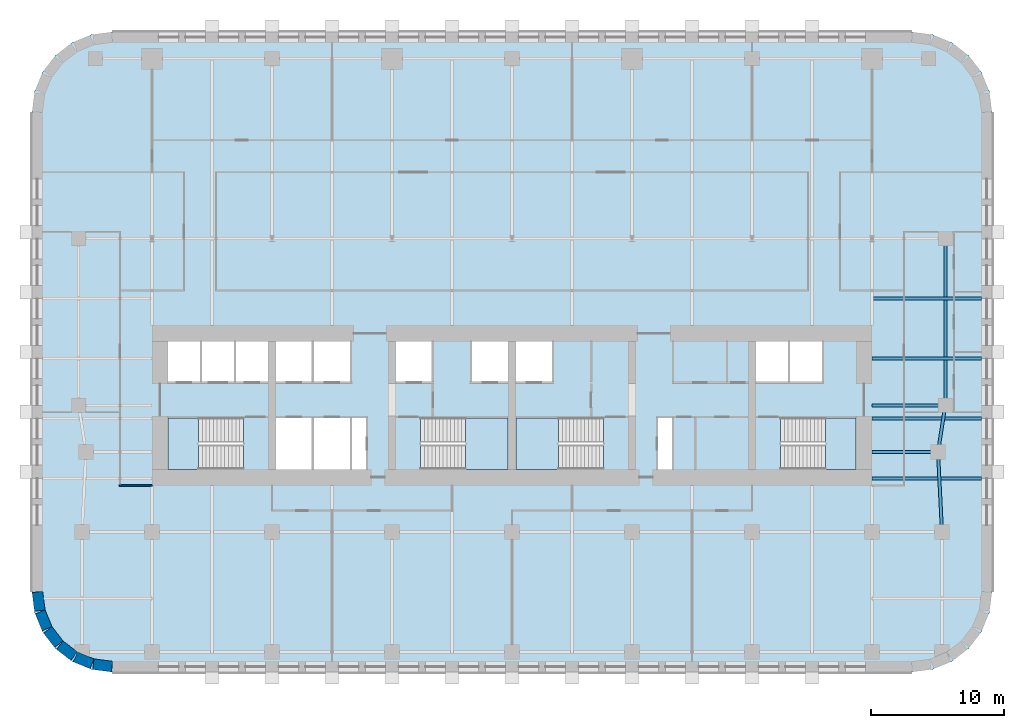
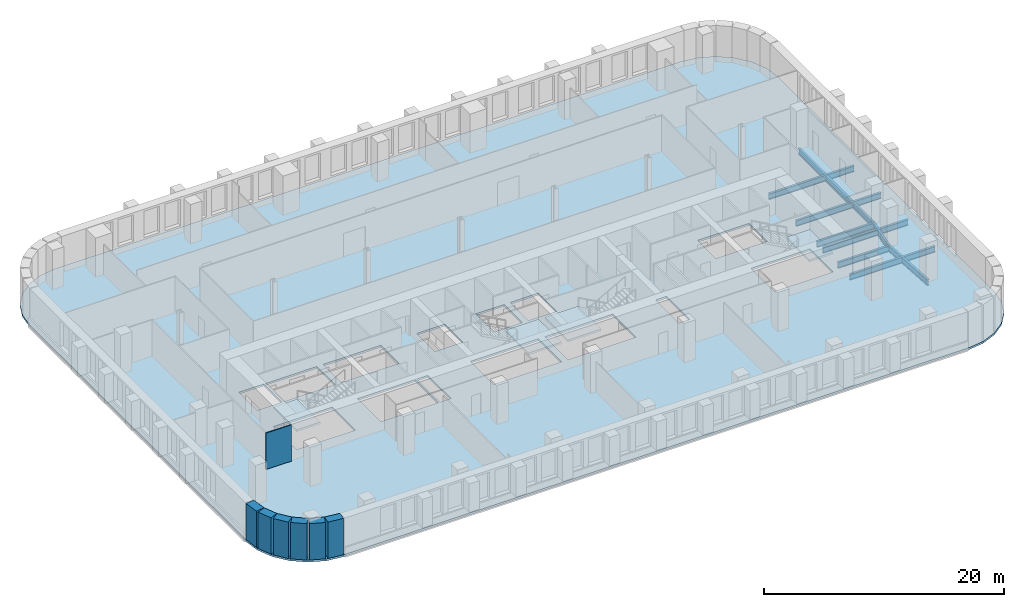
# One storey, part 2 of 12: 9 beams, 7 walls, 5 slabs, 4 elements without a shape of their own.
"""IFC4 building model written with IfcOpenShell, lengths in metres."""

from ifc_helpers import new_model, si_unit, direction, frame, frame_2d, origin, origin_2d, place, context, subcontext, project, spatial, polyline, rectangle, i_section, outline, extrude, material, layer, layer_set, material_profile, profile_set, type_object, element, aggregate, save


model = new_model("IFC4")

# Units and contexts
model_context = context("Model", 3, precision=1e-05, world=origin(), true_north=direction((0.0, 1.0)))
body_context = subcontext(model_context, "Body", "Model", "MODEL_VIEW")
ifc_project = project(units=[si_unit("LENGTHUNIT", "METRE"), si_unit("AREAUNIT", "SQUARE_METRE"), si_unit("VOLUMEUNIT", "CUBIC_METRE"), si_unit("PLANEANGLEUNIT", "RADIAN"), si_unit("MASSUNIT", "GRAM", prefix="KILO")], contexts=[model_context])

# Site, building, storey
site_placement = place(None, origin())
site = spatial("IfcSite", under=ifc_project, at=site_placement, CompositionType="ELEMENT")
building_placement = place(site_placement, origin())
building = spatial("IfcBuilding", under=site, at=building_placement, Name="Zellij Exchange Tower", CompositionType="ELEMENT")
storey_placement = place(building_placement, frame((0.0, 0.0, 96.5)))
storey = spatial("IfcBuildingStorey", under=building, at=storey_placement, Name="L20", CompositionType="ELEMENT", Elevation=96.5)

# Beams
ifc_material_1 = material(Name="Structural steel ASTM A992 Gr 50", Category="steel")
ifc_material_profile_1 = material_profile(ifc_material_1, i_section(OverallWidth=0.227783203125, OverallDepth=0.60205078125, WebThickness=0.010498046875, FlangeThickness=0.014892578125, at=origin_2d()), Name="W24x68")
ifc_profile_set_1 = profile_set([ifc_material_profile_1], Name="Structural steel ASTM A992 Gr 50")
beam_type_1 = type_object("IfcBeamType", Name="STR-BEAM W24x68", PredefinedType="BEAM", material=ifc_profile_set_1)
for number, where, z_axis, x_axis, name in (
    (1, (27.0, -13.5, -0.5009765625), (1.0, 0.0, 0.0), (0.0, 1.0, 0.0), "B5"),
    (2, (27.0, -9.0, -0.5009765625), (1.0, 0.0, 0.0), (0.0, 1.0, 0.0), "B5"),
    (3, (27.0, -4.5, -0.5009765625), (1.0, 0.0, 0.0), (0.0, 1.0, 0.0), "B5"),
    (4, (27.0, 0.0, -0.5009765625), (1.0, 0.0, 0.0), (0.0, 1.0, 0.0), "B5"),
):
    element("IfcBeam", number, at=place(storey_placement, frame(where, z_axis=z_axis, x_axis=x_axis)), inside=storey, type_object=beam_type_1, Name=name, PredefinedType="BEAM", context=body_context, shape_type="SweptSolid", body=[
        extrude(i_section(OverallWidth=0.227783203125, OverallDepth=0.60205078125, WebThickness=0.010498046875, FlangeThickness=0.014892578125, at=origin_2d()), origin(), (0.0, 0.0, 1.0), 8.199951171875),
    ])
ifc_material_profile_2 = material_profile(ifc_material_1, i_section(OverallWidth=0.22900390625, OverallDepth=0.612060546875, WebThickness=0.011962890625, FlangeThickness=0.01953125, at=origin_2d()), Name="W24x84")
ifc_profile_set_2 = profile_set([ifc_material_profile_2], Name="Structural steel ASTM A992 Gr 50")
beam_type_2 = type_object("IfcBeamType", Name="STR-EDGE GIRDER W24x84", PredefinedType="BEAM", material=ifc_profile_set_2)
beam_1_placement = place(storey_placement, frame((32.25, -17.5, -0.506103515625), z_axis=(-0.049945724537, 0.998751933465, 0.0), x_axis=(-0.998751933465, -0.049945724537, 0.0)))
element("IfcBeam", 5, at=beam_1_placement, inside=storey, type_object=beam_type_2, Name="EB6", PredefinedType="BEAM", context=body_context, shape_type="SweptSolid", body=[
    extrude(i_section(OverallWidth=0.22900390625, OverallDepth=0.612060546875, WebThickness=0.011962890625, FlangeThickness=0.01953125, at=origin_2d()), origin(), (0.0, 0.0, 1.0), 6.007568359375),
])
beam_2_placement = place(storey_placement, frame((31.949951171875, -11.5, -0.506103515625), z_axis=(0.155251283593, 0.987875011802, 0.0), x_axis=(-0.987875011802, 0.155251283593, 0.0)))
element("IfcBeam", 6, at=beam_2_placement, inside=storey, type_object=beam_type_2, Name="EB6", PredefinedType="BEAM", context=body_context, shape_type="SweptSolid", body=[
    extrude(i_section(OverallWidth=0.22900390625, OverallDepth=0.612060546875, WebThickness=0.011962890625, FlangeThickness=0.01953125, at=origin_2d()), origin(), (0.0, 0.0, 1.0), 3.54296875),
])
beam_3_placement = place(storey_placement, frame((32.5, -8.0, -0.506103515625), z_axis=(0.0, 1.0, 0.0), x_axis=(-1.0, 0.0, 0.0)))
element("IfcBeam", 7, at=beam_3_placement, inside=storey, type_object=beam_type_2, Name="EB6", PredefinedType="BEAM", context=body_context, shape_type="SweptSolid", body=[
    extrude(i_section(OverallWidth=0.22900390625, OverallDepth=0.612060546875, WebThickness=0.011962890625, FlangeThickness=0.01953125, at=origin_2d()), origin(), (0.0, 0.0, 1.0), 12.5),
])
ifc_material_profile_3 = material_profile(ifc_material_1, i_section(OverallWidth=0.22900390625, OverallDepth=0.612060546875, WebThickness=0.011962890625, FlangeThickness=0.01953125, at=origin_2d()), Name="W24x84")
ifc_profile_set_3 = profile_set([ifc_material_profile_3], Name="Structural steel ASTM A992 Gr 50")
beam_type_3 = type_object("IfcBeamType", Name="STR-GIRDER W24x84", PredefinedType="BEAM", material=ifc_profile_set_3)
beam_4_placement = place(storey_placement, frame((27.0, -11.5, -0.506103515625), z_axis=(1.0, 0.0, 0.0), x_axis=(0.0, 1.0, 0.0)))
element("IfcBeam", 8, at=beam_4_placement, inside=storey, type_object=beam_type_3, Name="G4", PredefinedType="BEAM", context=body_context, shape_type="SweptSolid", body=[
    extrude(i_section(OverallWidth=0.22900390625, OverallDepth=0.612060546875, WebThickness=0.011962890625, FlangeThickness=0.01953125, at=origin_2d()), origin(), (0.0, 0.0, 1.0), 4.949951171875),
])
beam_5_placement = place(storey_placement, frame((27.0, -8.0, -0.506103515625), z_axis=(1.0, 0.0, 0.0), x_axis=(0.0, 1.0, 0.0)))
element("IfcBeam", 9, at=beam_5_placement, inside=storey, type_object=beam_type_3, Name="G4", PredefinedType="BEAM", context=body_context, shape_type="SweptSolid", body=[
    extrude(i_section(OverallWidth=0.22900390625, OverallDepth=0.612060546875, WebThickness=0.011962890625, FlangeThickness=0.01953125, at=origin_2d()), origin(), (0.0, 0.0, 1.0), 5.5),
])

# Stair, slab
ifc_material_2 = material(Name="Concrete C40/50", Category="concrete")
stair_type = type_object("IfcStairType", Name="CORE-ST exit stair 1850 wide", PredefinedType="HALF_TURN_STAIR", material=ifc_material_2)
stair_1_placement = place(storey_placement, origin())
stair_1 = element("IfcStair", 10, at=stair_1_placement, inside=storey, type_object=stair_type, Name="L20 exit stair ST1", PredefinedType="HALF_TURN_STAIR")
ifc_layer_1 = layer(ifc_material_2, 0.199951171875)
ifc_layer_set_1 = layer_set([ifc_layer_1], Name="Concrete C40/50")
slab_type_1 = type_object("IfcSlabType", Name="CORE-SL stair landing 200", PredefinedType="LANDING", material=ifc_layer_set_1)
slab_1_placement = place(storey_placement, frame((0.0, 0.0, 1.800048828125)))
slab_1 = element("IfcSlab", 11, at=slab_1_placement, type_object=slab_type_1, Name="ST1 landing 1", PredefinedType="LANDING", context=body_context, shape_type="SweptSolid", body=[
    extrude(outline(polyline([(-23.510009765625, -8.949951171875), (-25.800048828125, -8.949951171875), (-25.800048828125, -12.800048828125), (-23.510009765625, -12.800048828125), (-23.510009765625, -8.949951171875)])), origin(), (0.0, 0.0, 1.0), 0.199951171875),
])
aggregate(stair_1, [slab_1])

stair_2_placement = place(storey_placement, origin())
stair_2 = element("IfcStair", 12, at=stair_2_placement, inside=storey, type_object=stair_type, Name="L20 exit stair ST2", PredefinedType="HALF_TURN_STAIR")
slab_2_placement = place(storey_placement, frame((0.0, 0.0, 1.800048828125)))
slab_2 = element("IfcSlab", 13, at=slab_2_placement, type_object=slab_type_1, Name="ST2 landing 1", PredefinedType="LANDING", context=body_context, shape_type="SweptSolid", body=[
    extrude(outline(polyline([(-3.489990234375, -12.800048828125), (-0.300048828125, -12.800048828125), (-0.300048828125, -8.949951171875), (-3.489990234375, -8.949951171875), (-3.489990234375, -12.800048828125)])), origin(), (0.0, 0.0, 1.0), 0.199951171875),
])
aggregate(stair_2, [slab_2])

stair_3_placement = place(storey_placement, origin())
stair_3 = element("IfcStair", 14, at=stair_3_placement, inside=storey, type_object=stair_type, Name="L20 exit stair ST3", PredefinedType="HALF_TURN_STAIR")
slab_3_placement = place(storey_placement, frame((0.0, 0.0, 1.800048828125)))
slab_3 = element("IfcSlab", 15, at=slab_3_placement, type_object=slab_type_1, Name="ST3 landing 1", PredefinedType="LANDING", context=body_context, shape_type="SweptSolid", body=[
    extrude(outline(polyline([(3.489990234375, -8.949951171875), (0.300048828125, -8.949951171875), (0.300048828125, -12.800048828125), (3.489990234375, -12.800048828125), (3.489990234375, -8.949951171875)])), origin(), (0.0, 0.0, 1.0), 0.199951171875),
])
aggregate(stair_3, [slab_3])

stair_4_placement = place(storey_placement, origin())
stair_4 = element("IfcStair", 16, at=stair_4_placement, inside=storey, type_object=stair_type, Name="L20 exit stair ST4", PredefinedType="HALF_TURN_STAIR")
slab_4_placement = place(storey_placement, frame((0.0, 0.0, 1.800048828125)))
slab_4 = element("IfcSlab", 17, at=slab_4_placement, type_object=slab_type_1, Name="ST4 landing 1", PredefinedType="LANDING", context=body_context, shape_type="SweptSolid", body=[
    extrude(outline(polyline([(23.510009765625, -12.800048828125), (25.800048828125, -12.800048828125), (25.800048828125, -8.949951171875), (23.510009765625, -8.949951171875), (23.510009765625, -12.800048828125)])), origin(), (0.0, 0.0, 1.0), 0.199951171875),
])
aggregate(stair_4, [slab_4])

# Slab
ifc_layer_2 = layer(ifc_material_2, 0.199951171875)
ifc_layer_set_2 = layer_set([ifc_layer_2], Name="Concrete C40/50")
slab_type_2 = type_object("IfcSlabType", Name="STR-FLOOR SLAB 200 C40/50", PredefinedType="FLOOR", material=ifc_layer_set_2)
slab_5_placement = place(storey_placement, frame((0.0, 0.0, -0.2001953125)))
element("IfcSlab", 18, at=slab_5_placement, inside=storey, type_object=slab_type_2, Name="Floor L20", PredefinedType="FLOOR", context=body_context, shape_type="SweptSolid", body=[
    extrude(outline(polyline([(-30.0, -28.0), (-31.552978515625, -27.795654296875), (-33.0, -27.1962890625), (-34.24267578125, -26.24267578125), (-35.1962890625, -25.0), (-35.795654296875, -23.552978515625), (-36.0, -22.0), (-36.0, 14.0), (-35.795654296875, 15.552978515625), (-35.1962890625, 17.0), (-34.24267578125, 18.24267578125), (-33.0, 19.1962890625), (-31.552978515625, 19.795654296875), (-30.0, 20.0), (30.0, 20.0), (31.552978515625, 19.795654296875), (33.0, 19.1962890625), (34.24267578125, 18.24267578125), (35.1962890625, 17.0), (35.795654296875, 15.552978515625), (36.0, 14.0), (36.0, -22.0), (35.795654296875, -23.552978515625), (35.1962890625, -25.0), (34.24267578125, -26.24267578125), (33.0, -27.1962890625), (31.552978515625, -27.795654296875), (30.0, -28.0), (-30.0, -28.0)]), holes=[polyline([(-25.800048828125, -8.949951171875), (-25.800048828125, -12.800048828125), (-20.153076171875, -12.800048828125), (-20.153076171875, -8.949951171875), (-25.800048828125, -8.949951171875)]), polyline([(-12.14990234375, -8.949951171875), (-17.699951171875, -8.949951171875), (-17.699951171875, -12.800048828125), (-12.14990234375, -12.800048828125), (-12.14990234375, -8.949951171875)]), polyline([(-10.949951171875, -8.949951171875), (-12.0, -8.949951171875), (-12.0, -12.800048828125), (-10.949951171875, -12.800048828125), (-10.949951171875, -8.949951171875)]), polyline([(-23.39990234375, -3.199951171875), (-25.800048828125, -3.199951171875), (-25.800048828125, -6.22509765625), (-23.39990234375, -6.22509765625), (-23.39990234375, -3.199951171875)]), polyline([(-18.300048828125, -3.199951171875), (-23.25, -3.199951171875), (-23.25, -6.22509765625), (-18.300048828125, -6.22509765625), (-18.300048828125, -3.199951171875)]), polyline([(-12.14990234375, -3.199951171875), (-17.699951171875, -3.199951171875), (-17.699951171875, -6.22509765625), (-12.14990234375, -6.22509765625), (-12.14990234375, -3.199951171875)]), polyline([(-6.0, -3.199951171875), (-8.699951171875, -3.199951171875), (-8.699951171875, -6.22509765625), (-6.0, -6.22509765625), (-6.0, -3.199951171875)]), polyline([(-6.846923828125, -8.949951171875), (-6.846923828125, -12.800048828125), (-0.300048828125, -12.800048828125), (-0.300048828125, -8.949951171875), (-6.846923828125, -8.949951171875)]), polyline([(6.846923828125, -8.949951171875), (0.300048828125, -8.949951171875), (0.300048828125, -12.800048828125), (6.846923828125, -12.800048828125), (6.846923828125, -8.949951171875)]), polyline([(12.0, -8.949951171875), (10.949951171875, -8.949951171875), (10.949951171875, -12.800048828125), (12.0, -12.800048828125), (12.0, -8.949951171875)]), polyline([(25.800048828125, -8.949951171875), (20.153076171875, -8.949951171875), (20.153076171875, -12.800048828125), (25.800048828125, -12.800048828125), (25.800048828125, -8.949951171875)]), polyline([(-0.300048828125, -3.199951171875), (-3.0, -3.199951171875), (-3.0, -6.22509765625), (-0.300048828125, -6.22509765625), (-0.300048828125, -3.199951171875)]), polyline([(3.0, -3.199951171875), (0.300048828125, -3.199951171875), (0.300048828125, -6.22509765625), (3.0, -6.22509765625), (3.0, -3.199951171875)]), polyline([(23.25, -3.199951171875), (18.300048828125, -3.199951171875), (18.300048828125, -6.22509765625), (23.25, -6.22509765625), (23.25, -3.199951171875)])]), origin(), (0.0, 0.0, 1.0), 0.2001953125),
])

# Walls
ifc_material_3 = material(Name="Precast concrete C40/50", Category="concrete")
ifc_layer_3 = layer(ifc_material_3, 0.800048828125)
ifc_layer_set_3 = layer_set([ifc_layer_3], Name="Precast concrete C40/50")
wall_type_1 = type_object("IfcWallType", Name="ENV-EW1 Precast stone-piered wall 800", PredefinedType="SOLIDWALL", material=ifc_layer_set_3)
wall_1_placement = place(storey_placement, frame((-35.5966796875, -21.999755859375, 0.0), z_axis=(0.0, 0.0, 1.0), x_axis=(0.130517283865, -0.99144603414, 0.0)))
element("IfcWall", 19, at=wall_1_placement, inside=storey, type_object=wall_type_1, Name="fac.L20.22", PredefinedType="SOLIDWALL", context=body_context, shape_type="SweptSolid", body=[
    extrude(rectangle(XDim=1.408447265625, YDim=0.800048828125, at=frame_2d((0.7041015625, 0.0))), origin(), (0.0, 0.0, 1.0), 3.699951171875),
])
wall_2_placement = place(storey_placement, frame((-35.3857421875, -23.497314453125, 0.0), z_axis=(0.0, 0.0, 1.0), x_axis=(0.38276009378, -0.923847774587, 0.0)))
element("IfcWall", 20, at=wall_2_placement, inside=storey, type_object=wall_type_1, Name="fac.L20.23", PredefinedType="SOLIDWALL", context=body_context, shape_type="SweptSolid", body=[
    extrude(rectangle(XDim=1.35546875, YDim=0.800048828125, at=frame_2d((0.677734375, 0.0))), origin(), (0.0, 0.0, 1.0), 3.699951171875),
])
for number, where, z_axis, x_axis, name in (
    (21, (-34.814697265625, -24.840087890625, 0.0), (0.0, 0.0, 1.0), (0.608866226366, -0.793272915452, 0.0), "fac.L20.24"),
    (22, (-33.91552734375, -25.9892578125, 0.0), (0.0, 0.0, 1.0), (0.793272915452, -0.608866226366, 0.0), "fac.L20.25"),
):
    element("IfcWall", number, at=place(storey_placement, frame(where, z_axis=z_axis, x_axis=x_axis)), inside=storey, type_object=wall_type_1, Name=name, PredefinedType="SOLIDWALL", context=body_context, shape_type="SweptSolid", body=[
        extrude(rectangle(XDim=1.355712890625, YDim=0.800048828125, at=frame_2d((0.677734375, 0.0))), origin(), (0.0, 0.0, 1.0), 3.699951171875),
    ])
wall_3_placement = place(storey_placement, frame((-32.74951171875, -26.866943359375, 0.0), z_axis=(0.0, 0.0, 1.0), x_axis=(0.923847774587, -0.38276009378, 0.0)))
element("IfcWall", 23, at=wall_3_placement, inside=storey, type_object=wall_type_1, Name="fac.L20.26", PredefinedType="SOLIDWALL", context=body_context, shape_type="SweptSolid", body=[
    extrude(rectangle(XDim=1.35546875, YDim=0.800048828125, at=frame_2d((0.677734375, 0.0))), origin(), (0.0, 0.0, 1.0), 3.699951171875),
])
wall_4_placement = place(storey_placement, frame((-31.396240234375, -27.412841796875, 0.0), z_axis=(0.0, 0.0, 1.0), x_axis=(0.99144603414, -0.130517283865, 0.0)))
element("IfcWall", 24, at=wall_4_placement, inside=storey, type_object=wall_type_1, Name="fac.L20.27", PredefinedType="SOLIDWALL", context=body_context, shape_type="SweptSolid", body=[
    extrude(rectangle(XDim=1.408447265625, YDim=0.800048828125, at=frame_2d((0.7041015625, 0.0))), origin(), (0.0, 0.0, 1.0), 3.699951171875),
])
ifc_material_4 = material(Name="Gypsum board partition on steel studs", Category="steel")
ifc_layer_4 = layer(ifc_material_4, 0.10009765625)
ifc_layer_set_4 = layer_set([ifc_layer_4], Name="Gypsum board partition on steel studs")
wall_type_2 = type_object("IfcWallType", Name="FIT-PARTITION-100", PredefinedType="PARTITIONING", material=ifc_layer_set_4)
wall_5_placement = place(storey_placement, frame((-29.449951171875, -14.0, 0.0), z_axis=(0.0, 0.0, 1.0), x_axis=(1.0, 0.0, 0.0)))
element("IfcWall", 25, at=wall_5_placement, inside=storey, type_object=wall_type_2, Name="FIT-PARTITION-100 013", PredefinedType="PARTITIONING", context=body_context, shape_type="SweptSolid", body=[
    extrude(rectangle(XDim=2.449951171875, YDim=0.10009765625, at=frame_2d((1.22509765625, 0.0))), origin(), (0.0, 0.0, 1.0), 3.699951171875),
])

save(model, "model.ifc")
